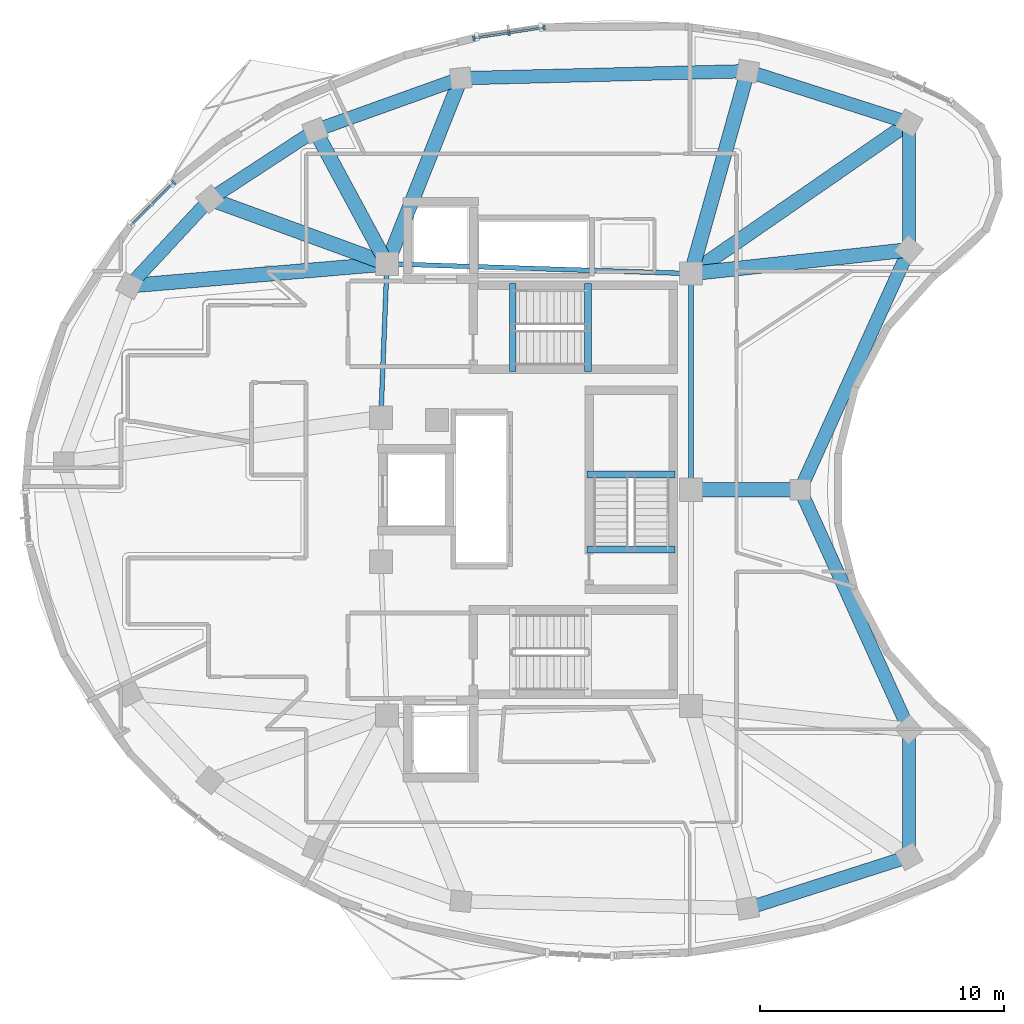
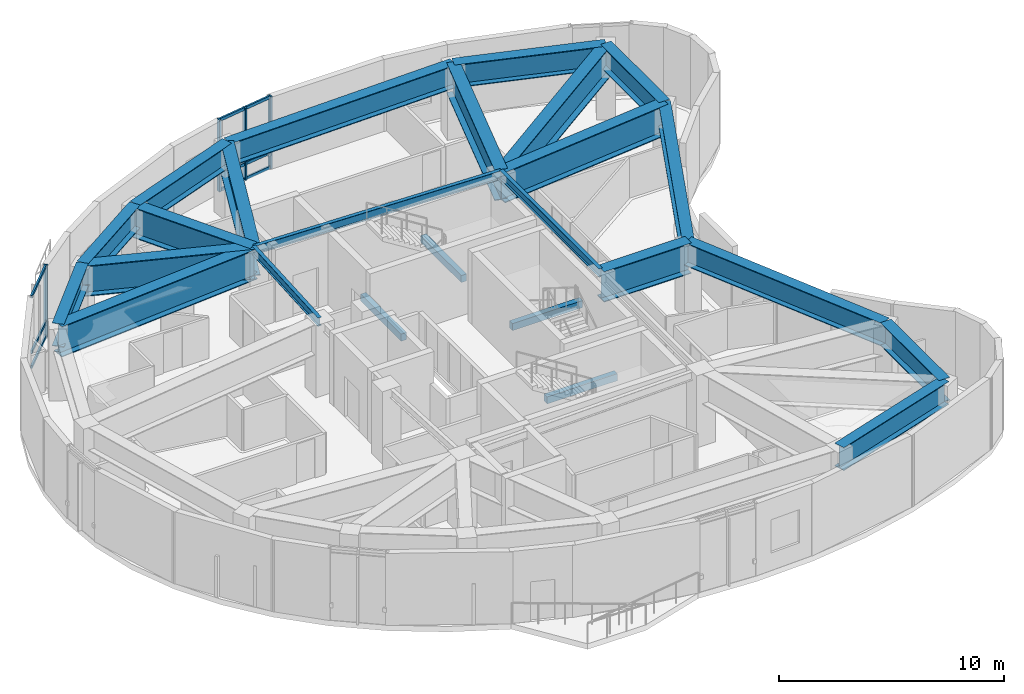
# One storey, part 3 of 12: 25 beams, 13 members, 2 elements without a shape of their own.
"""IFC4 building model written with IfcOpenShell, lengths in metres."""

from ifc_helpers import new_model, si_unit, direction, frame, origin, origin_2d, place, context, subcontext, project, spatial, rectangle, i_section, extrude, material, layer, layer_set, material_profile, profile_set, type_object, element, aggregate, save


model = new_model("IFC4")

# Units and contexts
model_context = context("Model", 3, precision=1e-05, world=origin(), true_north=direction((0.0, 1.0)))
body_context = subcontext(model_context, "Body", "Model", "MODEL_VIEW")
ifc_project = project(units=[si_unit("LENGTHUNIT", "METRE"), si_unit("AREAUNIT", "SQUARE_METRE"), si_unit("VOLUMEUNIT", "CUBIC_METRE"), si_unit("PLANEANGLEUNIT", "RADIAN"), si_unit("MASSUNIT", "GRAM", prefix="KILO")], contexts=[model_context])

# Site, building, storey
site_placement = place(None, origin())
site = spatial("IfcSite", under=ifc_project, at=site_placement, CompositionType="ELEMENT")
building_placement = place(site_placement, origin())
building = spatial("IfcBuilding", under=site, at=building_placement, Name="Korentha Bioscience Tower", CompositionType="ELEMENT")
storey_placement = place(building_placement, frame((0.0, 0.0, 297.60009765625)))
storey = spatial("IfcBuildingStorey", under=building, at=storey_placement, Name="L68", CompositionType="ELEMENT", Elevation=297.60009765625)

# Beams
ifc_material_1 = material(Name="Concrete C50", Category="concrete")
ifc_material_profile_1 = material_profile(ifc_material_1, rectangle(XDim=0.280029296875, YDim=0.3798828125, at=origin_2d()), Name="Concrete C50")
ifc_profile_set_1 = profile_set([ifc_material_profile_1], Name="Concrete C50 (ST-HB380)")
beam_type_1 = type_object("IfcBeamType", Name="Concrete Stair Header Beam RC 280x380", PredefinedType="BEAM", material=ifc_profile_set_1)
for number, where, z_axis, x_axis, name in (
    (1, (30.25, 31.85009765625, -0.190185546875), (0.0, 1.0, 0.0), (-1.0, 0.0, 0.0), "L68 ST-1 Concrete Stair Header Beam"),
    (2, (33.330078125, 31.85009765625, 1.909912109375), (0.0, 1.0, 0.0), (-1.0, 0.0, 0.0), "L68 ST-1 Half-Landing Header Beam 1"),
    (3, (36.89990234375, 24.550048828125, -0.190185546875), (-1.0, 0.0, 0.0), (0.0, -1.0, 0.0), "L68 ST-3 Concrete Stair Header Beam"),
    (4, (36.89990234375, 27.6298828125, 1.909912109375), (-1.0, 0.0, 0.0), (0.0, -1.0, 0.0), "L68 ST-3 Half-Landing Header Beam 1"),
):
    element("IfcBeam", number, at=place(storey_placement, frame(where, z_axis=z_axis, x_axis=x_axis)), inside=storey, type_object=beam_type_1, Name=name, PredefinedType="BEAM", context=body_context, shape_type="SweptSolid", body=[
        extrude(rectangle(XDim=0.280029296875, YDim=0.3798828125, at=origin_2d()), origin(), (0.0, 0.0, 1.0), 3.599853515625),
    ])
ifc_material_2 = material(Name="Steel S355", Category="steel")
ifc_material_profile_2 = material_profile(ifc_material_2, i_section(OverallWidth=0.550048828125, OverallDepth=1.25, WebThickness=0.02392578125, FlangeThickness=0.0400390625, at=origin_2d()), Name="Steel S355")
ifc_profile_set_2 = profile_set([ifc_material_profile_2], Name="Steel S355 (TG-03)")
beam_type_2 = type_object("IfcBeamType", Name="Crown Step Transfer Girder CVS 1250x510", PredefinedType="USERDEFINED", material=ifc_profile_set_2)
beam_1_placement = place(storey_placement, frame((46.476318359375, 42.022705078125, 3.27490234375), z_axis=(-0.952374693577, 0.304930226503, 0.0), x_axis=(-0.304930226503, -0.952374693577, 0.0)))
element("IfcBeam", 5, at=beam_1_placement, inside=storey, type_object=beam_type_2, Name="L68 Perimeter Spandrel Girder 01", ObjectType="TRANSFER_GIRDER", PredefinedType="USERDEFINED", context=body_context, shape_type="SweptSolid", body=[
    extrude(i_section(OverallWidth=0.550048828125, OverallDepth=1.25, WebThickness=0.02392578125, FlangeThickness=0.0400390625, at=origin_2d()), origin(), (0.0, 0.0, 1.0), 6.9375),
])
beam_2_placement = place(storey_placement, frame((39.869140625, 44.13818359375, 3.27490234375), z_axis=(-0.999696680128, -0.024628189974, 0.0), x_axis=(0.024628189974, -0.999696680128, 0.0)))
element("IfcBeam", 6, at=beam_2_placement, inside=storey, type_object=beam_type_2, Name="L68 Perimeter Spandrel Girder 02", ObjectType="TRANSFER_GIRDER", PredefinedType="USERDEFINED", context=body_context, shape_type="SweptSolid", body=[
    extrude(i_section(OverallWidth=0.550048828125, OverallDepth=1.25, WebThickness=0.02392578125, FlangeThickness=0.0400390625, at=origin_2d()), origin(), (0.0, 0.0, 1.0), 11.7470703125),
])
beam_3_placement = place(storey_placement, frame((28.125732421875, 43.848876953125, 3.27490234375), z_axis=(-0.941344019681, -0.337448420668, 0.0), x_axis=(0.337448420668, -0.941344019681, 0.0)))
element("IfcBeam", 7, at=beam_3_placement, inside=storey, type_object=beam_type_2, Name="L68 Perimeter Spandrel Girder 03", ObjectType="TRANSFER_GIRDER", PredefinedType="USERDEFINED", context=body_context, shape_type="SweptSolid", body=[
    extrude(i_section(OverallWidth=0.550048828125, OverallDepth=1.25, WebThickness=0.02392578125, FlangeThickness=0.0400390625, at=origin_2d()), origin(), (0.0, 0.0, 1.0), 6.340576171875),
])
beam_4_placement = place(storey_placement, frame((22.156982421875, 41.709228515625, 3.27490234375), z_axis=(-0.837370389089, -0.546635922234, 0.0), x_axis=(0.546635922234, -0.837370389089, 0.0)))
element("IfcBeam", 8, at=beam_4_placement, inside=storey, type_object=beam_type_2, Name="L68 Perimeter Spandrel Girder 04", ObjectType="TRANSFER_GIRDER", PredefinedType="USERDEFINED", context=body_context, shape_type="SweptSolid", body=[
    extrude(i_section(OverallWidth=0.550048828125, OverallDepth=1.25, WebThickness=0.02392578125, FlangeThickness=0.0400390625, at=origin_2d()), origin(), (0.0, 0.0, 1.0), 5.137451171875),
])
beam_5_placement = place(storey_placement, frame((17.85498046875, 38.90087890625, 3.27490234375), z_axis=(-0.680655927259, -0.732603240976, 0.0), x_axis=(0.732603240976, -0.680655927259, 0.0)))
element("IfcBeam", 9, at=beam_5_placement, inside=storey, type_object=beam_type_2, Name="L68 Perimeter Spandrel Girder 05", ObjectType="TRANSFER_GIRDER", PredefinedType="USERDEFINED", context=body_context, shape_type="SweptSolid", body=[
    extrude(i_section(OverallWidth=0.550048828125, OverallDepth=1.25, WebThickness=0.02392578125, FlangeThickness=0.0400390625, at=origin_2d()), origin(), (0.0, 0.0, 1.0), 4.845458984375),
])
beam_6_placement = place(storey_placement, frame((39.869140625, 9.86181640625, 3.27490234375), z_axis=(0.952374693577, 0.304930226503, 0.0), x_axis=(-0.304930226503, 0.952374693577, 0.0)))
element("IfcBeam", 10, at=beam_6_placement, inside=storey, type_object=beam_type_2, Name="L68 Perimeter Spandrel Girder 12", ObjectType="TRANSFER_GIRDER", PredefinedType="USERDEFINED", context=body_context, shape_type="SweptSolid", body=[
    extrude(i_section(OverallWidth=0.550048828125, OverallDepth=1.25, WebThickness=0.02392578125, FlangeThickness=0.0400390625, at=origin_2d()), origin(), (0.0, 0.0, 1.0), 6.9375),
])
beam_7_placement = place(storey_placement, frame((46.476318359375, 11.977294921875, 3.27490234375), z_axis=(-0.00032863848, 0.999999945998, 0.0), x_axis=(-0.999999945998, -0.00032863848, 0.0)))
element("IfcBeam", 11, at=beam_7_placement, inside=storey, type_object=beam_type_2, Name="L68 Perimeter Spandrel Girder 13", ObjectType="TRANSFER_GIRDER", PredefinedType="USERDEFINED", context=body_context, shape_type="SweptSolid", body=[
    extrude(i_section(OverallWidth=0.550048828125, OverallDepth=1.25, WebThickness=0.02392578125, FlangeThickness=0.0400390625, at=origin_2d()), origin(), (0.0, 0.0, 1.0), 5.2001953125),
])
for number, where, z_axis, x_axis, name in (
    (12, (46.474609375, 17.177490234375, 3.27490234375), (-0.413001207092, 0.910730477661, 0.0), (-0.910730477661, -0.413001207092, 0.0), "L68 Perimeter Spandrel Girder 14"),
    (13, (42.020263671875, 27.0, 3.27490234375), (0.413001207092, 0.910730477661, 0.0), (-0.910730477661, 0.413001207092, 0.0), "L68 Perimeter Spandrel Girder 15"),
):
    element("IfcBeam", number, at=place(storey_placement, frame(where, z_axis=z_axis, x_axis=x_axis)), inside=storey, type_object=beam_type_2, Name=name, ObjectType="TRANSFER_GIRDER", PredefinedType="USERDEFINED", context=body_context, shape_type="SweptSolid", body=[
        extrude(i_section(OverallWidth=0.550048828125, OverallDepth=1.25, WebThickness=0.02392578125, FlangeThickness=0.0400390625, at=origin_2d()), origin(), (0.0, 0.0, 1.0), 10.785400390625),
    ])
beam_8_placement = place(storey_placement, frame((46.474609375, 36.822509765625, 3.27490234375), z_axis=(0.00032863848, 0.999999945998, 0.0), x_axis=(-0.999999945998, 0.00032863848, 0.0)))
element("IfcBeam", 14, at=beam_8_placement, inside=storey, type_object=beam_type_2, Name="L68 Perimeter Spandrel Girder 16", ObjectType="TRANSFER_GIRDER", PredefinedType="USERDEFINED", context=body_context, shape_type="SweptSolid", body=[
    extrude(i_section(OverallWidth=0.550048828125, OverallDepth=1.25, WebThickness=0.02392578125, FlangeThickness=0.0400390625, at=origin_2d()), origin(), (0.0, 0.0, 1.0), 5.2001953125),
])
ifc_material_profile_3 = material_profile(ifc_material_2, i_section(OverallWidth=0.60009765625, OverallDepth=1.64990234375, WebThickness=0.02587890625, FlangeThickness=0.0439453125, at=origin_2d()), Name="Steel S355")
ifc_profile_set_3 = profile_set([ifc_material_profile_3], Name="Steel S355 (TG-04)")
beam_type_3 = type_object("IfcBeamType", Name="Deep Setback Transfer Girder CVS 1650x620", PredefinedType="USERDEFINED", material=ifc_profile_set_3)
beam_9_placement = place(storey_placement, frame((37.550048828125, 35.85009765625, 3.074951171875), z_axis=(0.822499007629, 0.56876654477, 0.0), x_axis=(-0.56876654477, 0.822499007629, 0.0)))
element("IfcBeam", 15, at=beam_9_placement, inside=storey, type_object=beam_type_3, Name="L68 Radial Transfer Girder 01", ObjectType="TRANSFER_GIRDER", PredefinedType="USERDEFINED", context=body_context, shape_type="SweptSolid", body=[
    extrude(i_section(OverallWidth=0.60009765625, OverallDepth=1.64990234375, WebThickness=0.02587890625, FlangeThickness=0.0439453125, at=origin_2d()), origin(), (0.0, 0.0, 1.0), 10.8525390625),
])
beam_10_placement = place(storey_placement, frame((37.550048828125, 35.85009765625, 3.074951171875), z_axis=(0.269460517512, 0.963011437888, 0.0), x_axis=(-0.963011437888, 0.269460517512, 0.0)))
element("IfcBeam", 16, at=beam_10_placement, inside=storey, type_object=beam_type_3, Name="L68 Radial Transfer Girder 02", ObjectType="TRANSFER_GIRDER", PredefinedType="USERDEFINED", context=body_context, shape_type="SweptSolid", body=[
    extrude(i_section(OverallWidth=0.60009765625, OverallDepth=1.64990234375, WebThickness=0.02587890625, FlangeThickness=0.0439453125, at=origin_2d()), origin(), (0.0, 0.0, 1.0), 8.6064453125),
])
beam_11_placement = place(storey_placement, frame((25.10009765625, 36.25, 3.074951171875), z_axis=(0.369923475736, 0.929062227248, 0.0), x_axis=(-0.929062227248, 0.369923475736, 0.0)))
element("IfcBeam", 17, at=beam_11_placement, inside=storey, type_object=beam_type_3, Name="L68 Radial Transfer Girder 03", ObjectType="TRANSFER_GIRDER", PredefinedType="USERDEFINED", context=body_context, shape_type="SweptSolid", body=[
    extrude(i_section(OverallWidth=0.60009765625, OverallDepth=1.64990234375, WebThickness=0.02587890625, FlangeThickness=0.0439453125, at=origin_2d()), origin(), (0.0, 0.0, 1.0), 8.17919921875),
])
beam_12_placement = place(storey_placement, frame((25.10009765625, 36.25, 3.074951171875), z_axis=(-0.474541081143, 0.880233356734, 0.0), x_axis=(-0.880233356734, -0.474541081143, 0.0)))
element("IfcBeam", 18, at=beam_12_placement, inside=storey, type_object=beam_type_3, Name="L68 Radial Transfer Girder 04", ObjectType="TRANSFER_GIRDER", PredefinedType="USERDEFINED", context=body_context, shape_type="SweptSolid", body=[
    extrude(i_section(OverallWidth=0.60009765625, OverallDepth=1.64990234375, WebThickness=0.02587890625, FlangeThickness=0.0439453125, at=origin_2d()), origin(), (0.0, 0.0, 1.0), 6.201904296875),
])
beam_13_placement = place(storey_placement, frame((25.10009765625, 36.25, 3.074951171875), z_axis=(-0.939113387984, 0.343607398798, 0.0), x_axis=(-0.343607398798, -0.939113387984, 0.0)))
element("IfcBeam", 19, at=beam_13_placement, inside=storey, type_object=beam_type_3, Name="L68 Radial Transfer Girder 05", ObjectType="TRANSFER_GIRDER", PredefinedType="USERDEFINED", context=body_context, shape_type="SweptSolid", body=[
    extrude(i_section(OverallWidth=0.60009765625, OverallDepth=1.64990234375, WebThickness=0.02587890625, FlangeThickness=0.0439453125, at=origin_2d()), origin(), (0.0, 0.0, 1.0), 7.71484375),
])
beam_14_placement = place(storey_placement, frame((25.10009765625, 36.25, 3.074951171875), z_axis=(-0.996384971169, -0.084952864741, 0.0), x_axis=(0.084952864741, -0.996384971169, 0.0)))
element("IfcBeam", 20, at=beam_14_placement, inside=storey, type_object=beam_type_3, Name="L68 Radial Transfer Girder 06", ObjectType="TRANSFER_GIRDER", PredefinedType="USERDEFINED", context=body_context, shape_type="SweptSolid", body=[
    extrude(i_section(OverallWidth=0.60009765625, OverallDepth=1.64990234375, WebThickness=0.02587890625, FlangeThickness=0.0439453125, at=origin_2d()), origin(), (0.0, 0.0, 1.0), 10.58154296875),
])
beam_15_placement = place(storey_placement, frame((37.550048828125, 27.0, 3.074951171875), z_axis=(1.0, 0.0, 0.0), x_axis=(0.0, 1.0, 0.0)))
element("IfcBeam", 21, at=beam_15_placement, inside=storey, type_object=beam_type_3, Name="L68 Radial Transfer Girder 15", ObjectType="TRANSFER_GIRDER", PredefinedType="USERDEFINED", context=body_context, shape_type="SweptSolid", body=[
    extrude(i_section(OverallWidth=0.60009765625, OverallDepth=1.64990234375, WebThickness=0.02587890625, FlangeThickness=0.0439453125, at=origin_2d()), origin(), (0.0, 0.0, 1.0), 4.47021484375),
])
beam_16_placement = place(storey_placement, frame((37.550048828125, 35.85009765625, 3.074951171875), z_axis=(0.994116294337, 0.108318019432, 0.0), x_axis=(-0.108318019432, 0.994116294337, 0.0)))
element("IfcBeam", 22, at=beam_16_placement, inside=storey, type_object=beam_type_3, Name="L68 Radial Transfer Girder 16", ObjectType="TRANSFER_GIRDER", PredefinedType="USERDEFINED", context=body_context, shape_type="SweptSolid", body=[
    extrude(i_section(OverallWidth=0.60009765625, OverallDepth=1.64990234375, WebThickness=0.02587890625, FlangeThickness=0.0439453125, at=origin_2d()), origin(), (0.0, 0.0, 1.0), 8.977294921875),
])
ifc_material_profile_4 = material_profile(ifc_material_2, i_section(OverallWidth=0.18994140625, OverallDepth=0.45703125, WebThickness=0.009033203125, FlangeThickness=0.014404296875, at=origin_2d()), Name="Steel S355")
ifc_profile_set_4 = profile_set([ifc_material_profile_4], Name="Steel S355 (MB-460)")
beam_type_4 = type_object("IfcBeamType", Name="Mid-Ring Tie Girder W460x74", PredefinedType="BEAM", material=ifc_profile_set_4)
beam_17_placement = place(storey_placement, frame((37.550048828125, 35.85009765625, 3.67138671875), z_axis=(-0.999484526071, 0.032104238723, 0.0), x_axis=(-0.032104238723, -0.999484526071, 0.0)))
element("IfcBeam", 23, at=beam_17_placement, inside=storey, type_object=beam_type_4, Name="L68 Core Ring Tie Girder 01", PredefinedType="BEAM", context=body_context, shape_type="SweptSolid", body=[
    extrude(i_section(OverallWidth=0.18994140625, OverallDepth=0.45703125, WebThickness=0.009033203125, FlangeThickness=0.014404296875, at=origin_2d()), origin(), (0.0, 0.0, 1.0), 12.456298828125),
])
beam_18_placement = place(storey_placement, frame((25.10009765625, 36.25, 3.67138671875), z_axis=(-0.039651025576, -0.999213588864, 0.0), x_axis=(0.999213588864, -0.039651025576, 0.0)))
element("IfcBeam", 24, at=beam_18_placement, inside=storey, type_object=beam_type_4, Name="L68 Core Ring Tie Girder 02", PredefinedType="BEAM", context=body_context, shape_type="SweptSolid", body=[
    extrude(i_section(OverallWidth=0.18994140625, OverallDepth=0.45703125, WebThickness=0.009033203125, FlangeThickness=0.014404296875, at=origin_2d()), origin(), (0.0, 0.0, 1.0), 6.304931640625),
])
beam_19_placement = place(storey_placement, frame((37.550048828125, 27.0, 3.67138671875), z_axis=(0.0, 1.0, 0.0), x_axis=(-1.0, 0.0, 0.0)))
element("IfcBeam", 25, at=beam_19_placement, inside=storey, type_object=beam_type_4, Name="L68 Core Ring Tie Girder 07", PredefinedType="BEAM", context=body_context, shape_type="SweptSolid", body=[
    extrude(i_section(OverallWidth=0.18994140625, OverallDepth=0.45703125, WebThickness=0.009033203125, FlangeThickness=0.014404296875, at=origin_2d()), origin(), (0.0, 0.0, 1.0), 8.85009765625),
])

# Curtain wall, members
ifc_material_3 = material(Name="Thermally Broken Aluminium Frame", Category="aluminium")
ifc_layer = layer(ifc_material_3, 0.219970703125, Name="Thermally Broken Aluminium Frame")
ifc_layer_set = layer_set([ifc_layer], Name="Thermally Broken Aluminium Frame (CW-T2)")
curtain_wall_type = type_object("IfcCurtainWallType", Name="Solar-Screened Lab Unitised Curtain Wall CW-T2", PredefinedType="USERDEFINED", material=ifc_layer_set)
curtain_wall_1_placement = place(storey_placement, origin())
curtain_wall_1 = element("IfcCurtainWall", 26, at=curtain_wall_1_placement, inside=storey, type_object=curtain_wall_type, Name="L68 Curtain Wall 07", ObjectType="UNITISED", PredefinedType="USERDEFINED")
ifc_material_4 = material(Name="Anodised Aluminium 6063-T6", Category="aluminium")
ifc_material_profile_5 = material_profile(ifc_material_4, rectangle(XDim=0.090087890625, YDim=0.199951171875, at=origin_2d()), Name="Anodised Aluminium 6063-T6")
ifc_profile_set_5 = profile_set([ifc_material_profile_5], Name="Anodised Aluminium 6063-T6 (CW-MUL)")
member_type_1 = type_object("IfcMemberType", Name="Mullion RECT 90x200", PredefinedType="MULLION", material=ifc_profile_set_5)
member_1_placement = place(storey_placement, frame((31.537353515625, 45.917724609375, 0.0), z_axis=(0.0, 0.0, 1.0), x_axis=(-0.98900659611, -0.147871406471, 0.0)))
member_1 = element("IfcMember", 27, at=member_1_placement, type_object=member_type_1, Name="CW-L68-07 Mullion 1", PredefinedType="MULLION", context=body_context, shape_type="SweptSolid", body=[
    extrude(rectangle(XDim=0.090087890625, YDim=0.199951171875, at=origin_2d()), origin(), (0.0, 0.0, 1.0), 3.89990234375),
])
member_2_placement = place(storey_placement, frame((30.09716796875, 45.702392578125, 0.0), z_axis=(0.0, 0.0, 1.0), x_axis=(-0.98900659611, -0.147871406471, 0.0)))
member_2 = element("IfcMember", 28, at=member_2_placement, type_object=member_type_1, Name="CW-L68-07 Mullion 2", PredefinedType="MULLION", context=body_context, shape_type="SweptSolid", body=[
    extrude(rectangle(XDim=0.090087890625, YDim=0.199951171875, at=origin_2d()), origin(), (0.0, 0.0, 1.0), 3.89990234375),
])
member_3_placement = place(storey_placement, frame((28.65673828125, 45.487060546875, 0.0), z_axis=(0.0, 0.0, 1.0), x_axis=(-0.98900659611, -0.147871406471, 0.0)))
member_3 = element("IfcMember", 29, at=member_3_placement, type_object=member_type_1, Name="CW-L68-07 Mullion 3", PredefinedType="MULLION", context=body_context, shape_type="SweptSolid", body=[
    extrude(rectangle(XDim=0.090087890625, YDim=0.199951171875, at=origin_2d()), origin(), (0.0, 0.0, 1.0), 3.89990234375),
])

# Curtain wall, member
curtain_wall_2_placement = place(storey_placement, origin())
curtain_wall_2 = element("IfcCurtainWall", 30, at=curtain_wall_2_placement, inside=storey, type_object=curtain_wall_type, Name="L68 Curtain Wall 13", ObjectType="UNITISED", PredefinedType="USERDEFINED")
member_4_placement = place(storey_placement, frame((16.3681640625, 39.586669921875, 0.0), z_axis=(0.0, 0.0, 1.0), x_axis=(-0.703813123431, -0.710385168262, 0.0)))
member_4 = element("IfcMember", 31, at=member_4_placement, type_object=member_type_1, Name="CW-L68-13 Mullion 1", PredefinedType="MULLION", context=body_context, shape_type="SweptSolid", body=[
    extrude(rectangle(XDim=0.090087890625, YDim=0.199951171875, at=origin_2d()), origin(), (0.0, 0.0, 1.0), 3.89990234375),
])

# Member
ifc_material_profile_6 = material_profile(ifc_material_4, rectangle(XDim=0.090087890625, YDim=0.159912109375, at=origin_2d()), Name="Anodised Aluminium 6063-T6")
ifc_profile_set_6 = profile_set([ifc_material_profile_6], Name="Anodised Aluminium 6063-T6 (CW-TRN)")
member_type_2 = type_object("IfcMemberType", Name="Transom RECT 90x160", PredefinedType="USERDEFINED", material=ifc_profile_set_6)
member_5_placement = place(storey_placement, frame((31.492919921875, 45.9111328125, 0.044921875), z_axis=(-0.988995252299, -0.147947257255, 0.0), x_axis=(0.147947257255, -0.988995252299, 0.0)))
member_5 = element("IfcMember", 32, at=member_5_placement, type_object=member_type_2, Name="CW-L68-07 Bay 1 Transom 1", ObjectType="TRANSOM", PredefinedType="USERDEFINED", context=body_context, shape_type="SweptSolid", body=[
    extrude(rectangle(XDim=0.090087890625, YDim=0.159912109375, at=origin_2d()), origin(), (0.0, 0.0, 1.0), 1.366455078125),
])

member_6_placement = place(storey_placement, frame((31.492919921875, 45.9111328125, 0.849853515625), z_axis=(-0.988995252299, -0.147947257255, 0.0), x_axis=(0.147947257255, -0.988995252299, 0.0)))
member_6 = element("IfcMember", 33, at=member_6_placement, type_object=member_type_2, Name="CW-L68-07 Bay 1 Transom 2", ObjectType="TRANSOM", PredefinedType="USERDEFINED", context=body_context, shape_type="SweptSolid", body=[
    extrude(rectangle(XDim=0.090087890625, YDim=0.159912109375, at=origin_2d()), origin(), (0.0, 0.0, 1.0), 1.366455078125),
])

member_7_placement = place(storey_placement, frame((31.492919921875, 45.9111328125, 3.85498046875), z_axis=(-0.988995252299, -0.147947257255, 0.0), x_axis=(0.147947257255, -0.988995252299, 0.0)))
member_7 = element("IfcMember", 34, at=member_7_placement, type_object=member_type_2, Name="CW-L68-07 Bay 1 Transom 3", ObjectType="TRANSOM", PredefinedType="USERDEFINED", context=body_context, shape_type="SweptSolid", body=[
    extrude(rectangle(XDim=0.090087890625, YDim=0.159912109375, at=origin_2d()), origin(), (0.0, 0.0, 1.0), 1.366455078125),
])

member_8_placement = place(storey_placement, frame((30.052490234375, 45.69580078125, 0.044921875), z_axis=(-0.988991340239, -0.147973406165, 0.0), x_axis=(0.147973406165, -0.988991340239, 0.0)))
member_8 = element("IfcMember", 35, at=member_8_placement, type_object=member_type_2, Name="CW-L68-07 Bay 2 Transom 1", ObjectType="TRANSOM", PredefinedType="USERDEFINED", context=body_context, shape_type="SweptSolid", body=[
    extrude(rectangle(XDim=0.090087890625, YDim=0.159912109375, at=origin_2d()), origin(), (0.0, 0.0, 1.0), 1.3662109375),
])

member_9_placement = place(storey_placement, frame((30.052490234375, 45.69580078125, 0.849853515625), z_axis=(-0.988991340239, -0.147973406165, 0.0), x_axis=(0.147973406165, -0.988991340239, 0.0)))
member_9 = element("IfcMember", 36, at=member_9_placement, type_object=member_type_2, Name="CW-L68-07 Bay 2 Transom 2", ObjectType="TRANSOM", PredefinedType="USERDEFINED", context=body_context, shape_type="SweptSolid", body=[
    extrude(rectangle(XDim=0.090087890625, YDim=0.159912109375, at=origin_2d()), origin(), (0.0, 0.0, 1.0), 1.3662109375),
])

member_10_placement = place(storey_placement, frame((30.052490234375, 45.69580078125, 3.85498046875), z_axis=(-0.988991340239, -0.147973406165, 0.0), x_axis=(0.147973406165, -0.988991340239, 0.0)))
member_10 = element("IfcMember", 37, at=member_10_placement, type_object=member_type_2, Name="CW-L68-07 Bay 2 Transom 3", ObjectType="TRANSOM", PredefinedType="USERDEFINED", context=body_context, shape_type="SweptSolid", body=[
    extrude(rectangle(XDim=0.090087890625, YDim=0.159912109375, at=origin_2d()), origin(), (0.0, 0.0, 1.0), 1.3662109375),
])

aggregate(curtain_wall_1, [member_1, member_2, member_3, member_5, member_6, member_7, member_8, member_9, member_10])

member_11_placement = place(storey_placement, frame((16.336669921875, 39.5546875, 0.044921875), z_axis=(-0.703834338807, -0.710364148529, 0.0), x_axis=(0.710364148529, -0.703834338807, 0.0)))
member_11 = element("IfcMember", 38, at=member_11_placement, type_object=member_type_2, Name="CW-L68-13 Bay 1 Transom 1", ObjectType="TRANSOM", PredefinedType="USERDEFINED", context=body_context, shape_type="SweptSolid", body=[
    extrude(rectangle(XDim=0.090087890625, YDim=0.159912109375, at=origin_2d()), origin(), (0.0, 0.0, 1.0), 2.467529296875),
])

member_12_placement = place(storey_placement, frame((16.336669921875, 39.5546875, 0.849853515625), z_axis=(-0.703834338807, -0.710364148529, 0.0), x_axis=(0.710364148529, -0.703834338807, 0.0)))
member_12 = element("IfcMember", 39, at=member_12_placement, type_object=member_type_2, Name="CW-L68-13 Bay 1 Transom 2", ObjectType="TRANSOM", PredefinedType="USERDEFINED", context=body_context, shape_type="SweptSolid", body=[
    extrude(rectangle(XDim=0.090087890625, YDim=0.159912109375, at=origin_2d()), origin(), (0.0, 0.0, 1.0), 2.467529296875),
])

member_13_placement = place(storey_placement, frame((16.336669921875, 39.5546875, 3.85498046875), z_axis=(-0.703834338807, -0.710364148529, 0.0), x_axis=(0.710364148529, -0.703834338807, 0.0)))
member_13 = element("IfcMember", 40, at=member_13_placement, type_object=member_type_2, Name="CW-L68-13 Bay 1 Transom 3", ObjectType="TRANSOM", PredefinedType="USERDEFINED", context=body_context, shape_type="SweptSolid", body=[
    extrude(rectangle(XDim=0.090087890625, YDim=0.159912109375, at=origin_2d()), origin(), (0.0, 0.0, 1.0), 2.467529296875),
])

aggregate(curtain_wall_2, [member_4, member_11, member_12, member_13])

save(model, "model.ifc")
